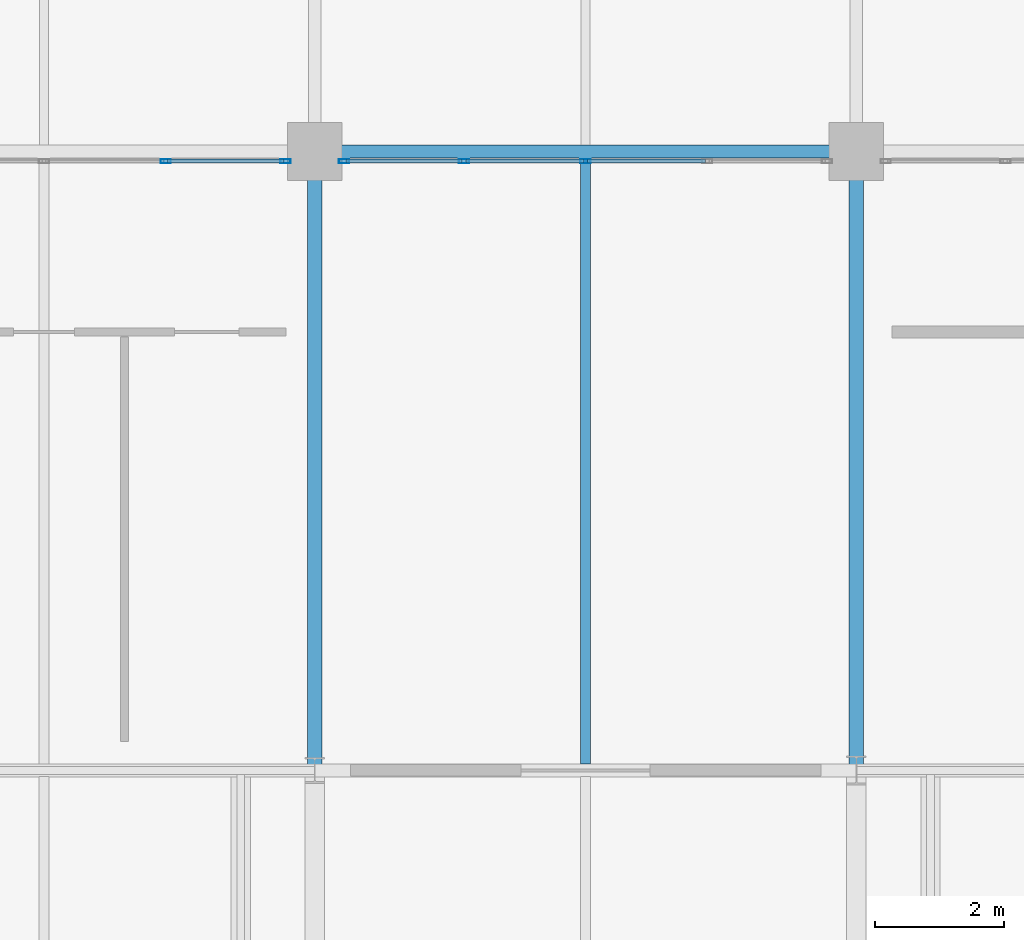
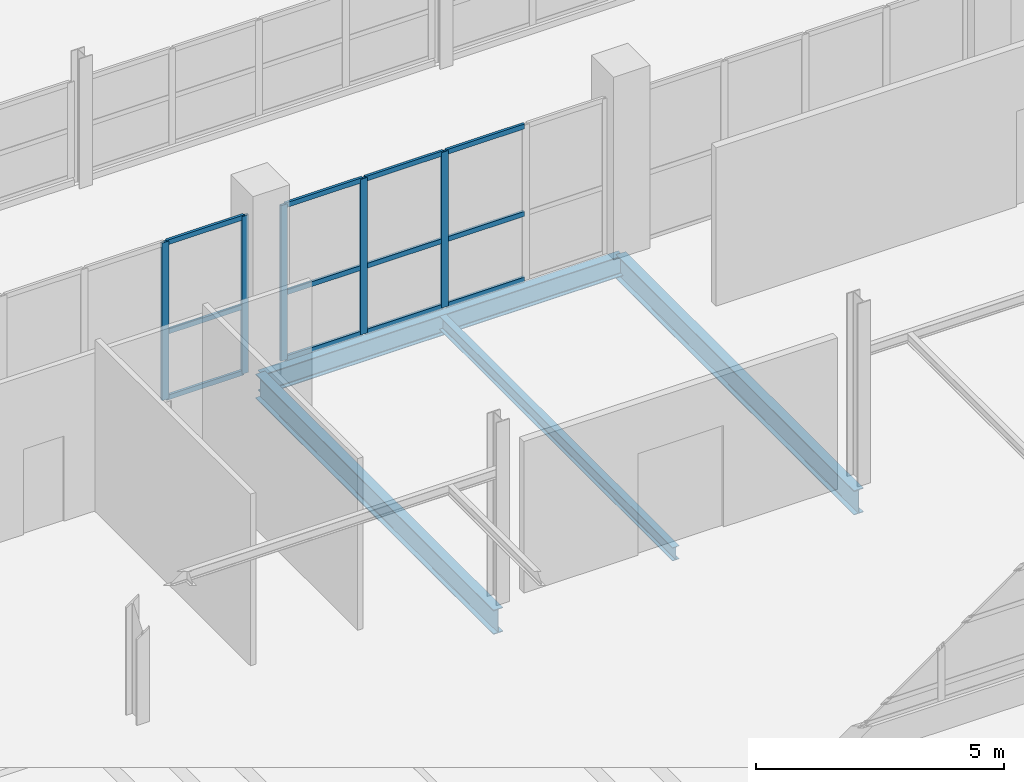
# One storey, part 21 of 103: 17 members, 4 beams, 2 elements without a shape of their own.
"""IFC4 building model written with IfcOpenShell, lengths in metres."""

from ifc_helpers import new_model, si_unit, direction, frame, origin, origin_2d, place, context, subcontext, project, spatial, hollow_rectangle, i_section, extrude, material, material_profile, profile_set, type_object, element, aggregate, save


model = new_model("IFC4")

# Units and contexts
model_context = context("Model", 3, precision=1e-05, world=origin(), true_north=direction((0.0, 1.0)))
body_context = subcontext(model_context, "Body", "Model", "MODEL_VIEW")
ifc_project = project(units=[si_unit("LENGTHUNIT", "METRE"), si_unit("AREAUNIT", "SQUARE_METRE"), si_unit("VOLUMEUNIT", "CUBIC_METRE"), si_unit("PLANEANGLEUNIT", "RADIAN"), si_unit("MASSUNIT", "GRAM", prefix="KILO")], contexts=[model_context])

# Site, building, storey
site_placement = place(None, origin())
site = spatial("IfcSite", under=ifc_project, at=site_placement, CompositionType="ELEMENT")
building_placement = place(site_placement, origin())
building = spatial("IfcBuilding", under=site, at=building_placement, Name="Veltarok Museum of Natural Sciences", CompositionType="ELEMENT")
storey_placement = place(building_placement, frame((0.0, 0.0, 21.89990234375)))
storey = spatial("IfcBuildingStorey", under=building, at=storey_placement, Name="L04", CompositionType="ELEMENT", Elevation=21.89990234375)

# Curtain wall, members
ifc_material_1 = material(Name="Low-iron triple insulated glass", Category="glass")
curtain_wall_type_1 = type_object("IfcCurtainWallType", Name="Curtain Wall System CW-V1CN4-L04-0-755x388 (CW-V1CN4 L04 755x388cm)", PredefinedType="NOTDEFINED", material=ifc_material_1)
curtain_wall_1_placement = place(storey_placement, origin())
curtain_wall_1 = element("IfcCurtainWall", 1, at=curtain_wall_1_placement, inside=storey, type_object=curtain_wall_type_1, Name="Curtain Wall CW-V1CN4-L04-0-755x388 CW-0164", PredefinedType="NOTDEFINED")
ifc_material_2 = material(Name="Thermally broken anodised aluminium", Category="aluminium")
ifc_material_profile_1 = material_profile(ifc_material_2, hollow_rectangle(XDim=0.06005859375, YDim=0.1201171875, WallThickness=0.0048828125, at=origin_2d()), Name="CW TRANSOM 60x120x5")
ifc_profile_set_1 = profile_set([ifc_material_profile_1], Name="Thermally broken anodised aluminium")
member_type_1 = type_object("IfcMemberType", Name="Curtain Wall Horizontal Transom 60x120x5", PredefinedType="USERDEFINED", material=ifc_profile_set_1)
member_1_placement = place(storey_placement, frame((56.31494140625, 19.050048828125, 0.028076171875), z_axis=(-1.0, 0.0, 0.0), x_axis=(0.0, -1.0, 0.0)))
member_1 = element("IfcMember", 2, at=member_1_placement, type_object=member_type_1, Name="CW-V1CN4-L04-0-755x388 transom 1.1", ObjectType="TRANSOM", PredefinedType="USERDEFINED", context=body_context, shape_type="SweptSolid", body=[
    extrude(hollow_rectangle(XDim=0.06005859375, YDim=0.1201171875, WallThickness=0.0048828125, at=origin_2d()), origin(), (0.0, 0.0, 1.0), 1.79736328125),
])
member_2_placement = place(storey_placement, frame((56.31494140625, 19.050048828125, 1.648193359375), z_axis=(-1.0, 0.0, 0.0), x_axis=(0.0, -1.0, 0.0)))
member_2 = element("IfcMember", 3, at=member_2_placement, type_object=member_type_1, Name="CW-V1CN4-L04-0-755x388 transom 1.2", ObjectType="TRANSOM", PredefinedType="USERDEFINED", context=body_context, shape_type="SweptSolid", body=[
    extrude(hollow_rectangle(XDim=0.06005859375, YDim=0.1201171875, WallThickness=0.0048828125, at=origin_2d()), origin(), (0.0, 0.0, 1.0), 1.79736328125),
])
member_3_placement = place(storey_placement, frame((56.31494140625, 19.050048828125, 3.85009765625), z_axis=(-1.0, 0.0, 0.0), x_axis=(0.0, -1.0, 0.0)))
member_3 = element("IfcMember", 4, at=member_3_placement, type_object=member_type_1, Name="CW-V1CN4-L04-0-755x388 transom 1.3", ObjectType="TRANSOM", PredefinedType="USERDEFINED", context=body_context, shape_type="SweptSolid", body=[
    extrude(hollow_rectangle(XDim=0.06005859375, YDim=0.1201171875, WallThickness=0.0048828125, at=origin_2d()), origin(), (0.0, 0.0, 1.0), 1.79736328125),
])

curtain_wall_type_2 = type_object("IfcCurtainWallType", Name="Curtain Wall System CW-V1CN4-L04-1-755x383 (CW-V1CN4 L04 755x383cm)", PredefinedType="NOTDEFINED", material=ifc_material_1)
curtain_wall_2_placement = place(storey_placement, origin())
curtain_wall_2 = element("IfcCurtainWall", 5, at=curtain_wall_2_placement, inside=storey, type_object=curtain_wall_type_2, Name="Curtain Wall CW-V1CN4-L04-1-755x383 CW-0165", PredefinedType="NOTDEFINED")
member_4_placement = place(storey_placement, frame((62.857421875, 19.050048828125, 0.028076171875), z_axis=(-1.0, 0.0, 0.0), x_axis=(0.0, -1.0, 0.0)))
member_4 = element("IfcMember", 6, at=member_4_placement, type_object=member_type_1, Name="CW-V1CN4-L04-1-755x383 transom 2.1", ObjectType="TRANSOM", PredefinedType="USERDEFINED", context=body_context, shape_type="SweptSolid", body=[
    extrude(hollow_rectangle(XDim=0.06005859375, YDim=0.1201171875, WallThickness=0.0048828125, at=origin_2d()), origin(), (0.0, 0.0, 1.0), 1.827392578125),
])
member_5_placement = place(storey_placement, frame((62.857421875, 19.050048828125, 1.648193359375), z_axis=(-1.0, 0.0, 0.0), x_axis=(0.0, -1.0, 0.0)))
member_5 = element("IfcMember", 7, at=member_5_placement, type_object=member_type_1, Name="CW-V1CN4-L04-1-755x383 transom 2.2", ObjectType="TRANSOM", PredefinedType="USERDEFINED", context=body_context, shape_type="SweptSolid", body=[
    extrude(hollow_rectangle(XDim=0.06005859375, YDim=0.1201171875, WallThickness=0.0048828125, at=origin_2d()), origin(), (0.0, 0.0, 1.0), 1.827392578125),
])
member_6_placement = place(storey_placement, frame((62.857421875, 19.050048828125, 3.800048828125), z_axis=(-1.0, 0.0, 0.0), x_axis=(0.0, -1.0, 0.0)))
member_6 = element("IfcMember", 8, at=member_6_placement, type_object=member_type_1, Name="CW-V1CN4-L04-1-755x383 transom 2.3", ObjectType="TRANSOM", PredefinedType="USERDEFINED", context=body_context, shape_type="SweptSolid", body=[
    extrude(hollow_rectangle(XDim=0.06005859375, YDim=0.1201171875, WallThickness=0.0048828125, at=origin_2d()), origin(), (0.0, 0.0, 1.0), 1.827392578125),
])
member_7_placement = place(storey_placement, frame((60.969970703125, 19.050048828125, 0.028076171875), z_axis=(-1.0, 0.0, 0.0), x_axis=(0.0, -1.0, 0.0)))
member_7 = element("IfcMember", 9, at=member_7_placement, type_object=member_type_1, Name="CW-V1CN4-L04-1-755x383 transom 3.1", ObjectType="TRANSOM", PredefinedType="USERDEFINED", context=body_context, shape_type="SweptSolid", body=[
    extrude(hollow_rectangle(XDim=0.06005859375, YDim=0.1201171875, WallThickness=0.0048828125, at=origin_2d()), origin(), (0.0, 0.0, 1.0), 1.827392578125),
])
member_8_placement = place(storey_placement, frame((60.969970703125, 19.050048828125, 1.648193359375), z_axis=(-1.0, 0.0, 0.0), x_axis=(0.0, -1.0, 0.0)))
member_8 = element("IfcMember", 10, at=member_8_placement, type_object=member_type_1, Name="CW-V1CN4-L04-1-755x383 transom 3.2", ObjectType="TRANSOM", PredefinedType="USERDEFINED", context=body_context, shape_type="SweptSolid", body=[
    extrude(hollow_rectangle(XDim=0.06005859375, YDim=0.1201171875, WallThickness=0.0048828125, at=origin_2d()), origin(), (0.0, 0.0, 1.0), 1.827392578125),
])
member_9_placement = place(storey_placement, frame((60.969970703125, 19.050048828125, 3.800048828125), z_axis=(-1.0, 0.0, 0.0), x_axis=(0.0, -1.0, 0.0)))
member_9 = element("IfcMember", 11, at=member_9_placement, type_object=member_type_1, Name="CW-V1CN4-L04-1-755x383 transom 3.3", ObjectType="TRANSOM", PredefinedType="USERDEFINED", context=body_context, shape_type="SweptSolid", body=[
    extrude(hollow_rectangle(XDim=0.06005859375, YDim=0.1201171875, WallThickness=0.0048828125, at=origin_2d()), origin(), (0.0, 0.0, 1.0), 1.827392578125),
])
member_10_placement = place(storey_placement, frame((59.08251953125, 19.050048828125, 0.028076171875), z_axis=(-1.0, 0.0, 0.0), x_axis=(0.0, -1.0, 0.0)))
member_10 = element("IfcMember", 12, at=member_10_placement, type_object=member_type_1, Name="CW-V1CN4-L04-1-755x383 transom 4.1", ObjectType="TRANSOM", PredefinedType="USERDEFINED", context=body_context, shape_type="SweptSolid", body=[
    extrude(hollow_rectangle(XDim=0.06005859375, YDim=0.1201171875, WallThickness=0.0048828125, at=origin_2d()), origin(), (0.0, 0.0, 1.0), 1.797607421875),
])
member_11_placement = place(storey_placement, frame((59.08251953125, 19.050048828125, 1.648193359375), z_axis=(-1.0, 0.0, 0.0), x_axis=(0.0, -1.0, 0.0)))
member_11 = element("IfcMember", 13, at=member_11_placement, type_object=member_type_1, Name="CW-V1CN4-L04-1-755x383 transom 4.2", ObjectType="TRANSOM", PredefinedType="USERDEFINED", context=body_context, shape_type="SweptSolid", body=[
    extrude(hollow_rectangle(XDim=0.06005859375, YDim=0.1201171875, WallThickness=0.0048828125, at=origin_2d()), origin(), (0.0, 0.0, 1.0), 1.797607421875),
])
member_12_placement = place(storey_placement, frame((59.08251953125, 19.050048828125, 3.800048828125), z_axis=(-1.0, 0.0, 0.0), x_axis=(0.0, -1.0, 0.0)))
member_12 = element("IfcMember", 14, at=member_12_placement, type_object=member_type_1, Name="CW-V1CN4-L04-1-755x383 transom 4.3", ObjectType="TRANSOM", PredefinedType="USERDEFINED", context=body_context, shape_type="SweptSolid", body=[
    extrude(hollow_rectangle(XDim=0.06005859375, YDim=0.1201171875, WallThickness=0.0048828125, at=origin_2d()), origin(), (0.0, 0.0, 1.0), 1.797607421875),
])

# Member
ifc_material_profile_2 = material_profile(ifc_material_2, hollow_rectangle(XDim=0.06005859375, YDim=0.159912109375, WallThickness=0.0048828125, at=origin_2d()), Name="CW MULLION 60x160x5")
ifc_profile_set_2 = profile_set([ifc_material_profile_2], Name="Thermally broken anodised aluminium")
member_type_2 = type_object("IfcMemberType", Name="Curtain Wall Vertical Mullion 60x160x5", PredefinedType="MULLION", material=ifc_profile_set_2)
member_13_placement = place(storey_placement, frame((56.344970703125, 19.050048828125, -0.001953125), z_axis=(0.0, 0.0, 1.0), x_axis=(0.0, -1.0, 0.0)))
member_13 = element("IfcMember", 15, at=member_13_placement, type_object=member_type_2, Name="CW-V1CN4-L04-0-755x388 mullion 1", PredefinedType="MULLION", context=body_context, shape_type="SweptSolid", body=[
    extrude(hollow_rectangle(XDim=0.06005859375, YDim=0.159912109375, WallThickness=0.0048828125, at=origin_2d()), origin(), (0.0, 0.0, 1.0), 3.882080078125),
])

member_14_placement = place(storey_placement, frame((54.487548828125, 19.050048828125, -0.001953125), z_axis=(0.0, 0.0, 1.0), x_axis=(0.0, -1.0, 0.0)))
member_14 = element("IfcMember", 16, at=member_14_placement, type_object=member_type_2, Name="CW-V1CN4-L04-0-755x388 mullion 2", PredefinedType="MULLION", context=body_context, shape_type="SweptSolid", body=[
    extrude(hollow_rectangle(XDim=0.06005859375, YDim=0.159912109375, WallThickness=0.0048828125, at=origin_2d()), origin(), (0.0, 0.0, 1.0), 3.882080078125),
])

aggregate(curtain_wall_1, [member_13, member_14, member_1, member_2, member_3])

member_15_placement = place(storey_placement, frame((61.0, 19.050048828125, -0.001953125), z_axis=(0.0, 0.0, 1.0), x_axis=(0.0, -1.0, 0.0)))
member_15 = element("IfcMember", 17, at=member_15_placement, type_object=member_type_2, Name="CW-V1CN4-L04-1-755x383 mullion 3", PredefinedType="MULLION", context=body_context, shape_type="SweptSolid", body=[
    extrude(hollow_rectangle(XDim=0.06005859375, YDim=0.159912109375, WallThickness=0.0048828125, at=origin_2d()), origin(), (0.0, 0.0, 1.0), 3.83203125),
])

member_16_placement = place(storey_placement, frame((59.112548828125, 19.050048828125, -0.001953125), z_axis=(0.0, 0.0, 1.0), x_axis=(0.0, -1.0, 0.0)))
member_16 = element("IfcMember", 18, at=member_16_placement, type_object=member_type_2, Name="CW-V1CN4-L04-1-755x383 mullion 4", PredefinedType="MULLION", context=body_context, shape_type="SweptSolid", body=[
    extrude(hollow_rectangle(XDim=0.06005859375, YDim=0.159912109375, WallThickness=0.0048828125, at=origin_2d()), origin(), (0.0, 0.0, 1.0), 3.83203125),
])

member_17_placement = place(storey_placement, frame((57.2548828125, 19.050048828125, -0.001953125), z_axis=(0.0, 0.0, 1.0), x_axis=(0.0, -1.0, 0.0)))
member_17 = element("IfcMember", 19, at=member_17_placement, type_object=member_type_2, Name="CW-V1CN4-L04-1-755x383 mullion 5", PredefinedType="MULLION", context=body_context, shape_type="SweptSolid", body=[
    extrude(hollow_rectangle(XDim=0.06005859375, YDim=0.159912109375, WallThickness=0.0048828125, at=origin_2d()), origin(), (0.0, 0.0, 1.0), 3.83203125),
])

aggregate(curtain_wall_2, [member_15, member_16, member_17, member_4, member_5, member_6, member_7, member_8, member_9, member_10, member_11, member_12])

# Beams
ifc_material_3 = material(Name="Steel S355J2", Category="steel")
ifc_material_profile_3 = material_profile(ifc_material_3, i_section(OverallWidth=0.159912109375, OverallDepth=0.330078125, WebThickness=0.007568359375, FlangeThickness=0.011474609375, FilletRadius=0.01806640625, at=origin_2d()), Name="IPE 330")
ifc_profile_set_3 = profile_set([ifc_material_profile_3], Name="Steel S355J2")
beam_type_1 = type_object("IfcBeamType", Name="Medium-Bay Composite Joist IPE 330", PredefinedType="JOIST", material=ifc_profile_set_3)
beam_1_placement = place(storey_placement, frame((61.0, 9.697998046875, -0.414794921875), z_axis=(0.0, 1.0, 0.0), x_axis=(-1.0, 0.0, 0.0)))
element("IfcBeam", 20, at=beam_1_placement, inside=storey, type_object=beam_type_1, Name="Secondary Joist BM-J02 L04 7-8/B-C.1", PredefinedType="JOIST", context=body_context, shape_type="SweptSolid", body=[
    extrude(i_section(OverallWidth=0.159912109375, OverallDepth=0.330078125, WebThickness=0.007568359375, FlangeThickness=0.011474609375, FilletRadius=0.01806640625, at=origin_2d()), origin(), (0.0, 0.0, 1.0), 9.404052734375),
])
ifc_material_profile_4 = material_profile(ifc_material_3, i_section(OverallWidth=0.219970703125, OverallDepth=0.60009765625, WebThickness=0.011962890625, FlangeThickness=0.01904296875, FilletRadius=0.02392578125, at=origin_2d()), Name="IPE 600")
ifc_profile_set_4 = profile_set([ifc_material_profile_4], Name="Steel S355J2")
beam_type_2 = type_object("IfcBeamType", Name="Primary Museum Girder IPE 600", PredefinedType="BEAM", material=ifc_profile_set_4)
for number, where, z_axis, x_axis, name in (
    (21, (56.800048828125, 9.60009765625, -0.5498046875), (0.0, 1.0, 0.0), (-1.0, 0.0, 0.0), "Beam BM-G02 L04 7/B-C"),
    (22, (65.199951171875, 9.60009765625, -0.5498046875), (0.0, 1.0, 0.0), (-1.0, 0.0, 0.0), "Beam BM-G02 L04 8/B-C"),
):
    element("IfcBeam", number, at=place(storey_placement, frame(where, z_axis=z_axis, x_axis=x_axis)), inside=storey, type_object=beam_type_2, Name=name, PredefinedType="BEAM", context=body_context, shape_type="SweptSolid", body=[
        extrude(i_section(OverallWidth=0.219970703125, OverallDepth=0.60009765625, WebThickness=0.011962890625, FlangeThickness=0.01904296875, FilletRadius=0.02392578125, at=origin_2d()), origin(), (0.0, 0.0, 1.0), 9.599853515625),
    ])
ifc_material_profile_5 = material_profile(ifc_material_3, i_section(OverallWidth=0.199951171875, OverallDepth=0.5, WebThickness=0.01025390625, FlangeThickness=0.01611328125, FilletRadius=0.02099609375, at=origin_2d()), Name="IPE 500")
ifc_profile_set_5 = profile_set([ifc_material_profile_5], Name="Steel S355J2")
beam_type_3 = type_object("IfcBeamType", Name="Standard Gallery Girder IPE 500", PredefinedType="BEAM", material=ifc_profile_set_5)
beam_2_placement = place(storey_placement, frame((56.800048828125, 19.199951171875, -0.5), z_axis=(1.0, 0.0, 0.0), x_axis=(0.0, 1.0, 0.0)))
element("IfcBeam", 23, at=beam_2_placement, inside=storey, type_object=beam_type_3, Name="Beam BM-G04 L04 7-8/C", PredefinedType="BEAM", context=body_context, shape_type="SweptSolid", body=[
    extrude(i_section(OverallWidth=0.199951171875, OverallDepth=0.5, WebThickness=0.01025390625, FlangeThickness=0.01611328125, FilletRadius=0.02099609375, at=origin_2d()), origin(), (0.0, 0.0, 1.0), 8.39990234375),
])

save(model, "model.ifc")
